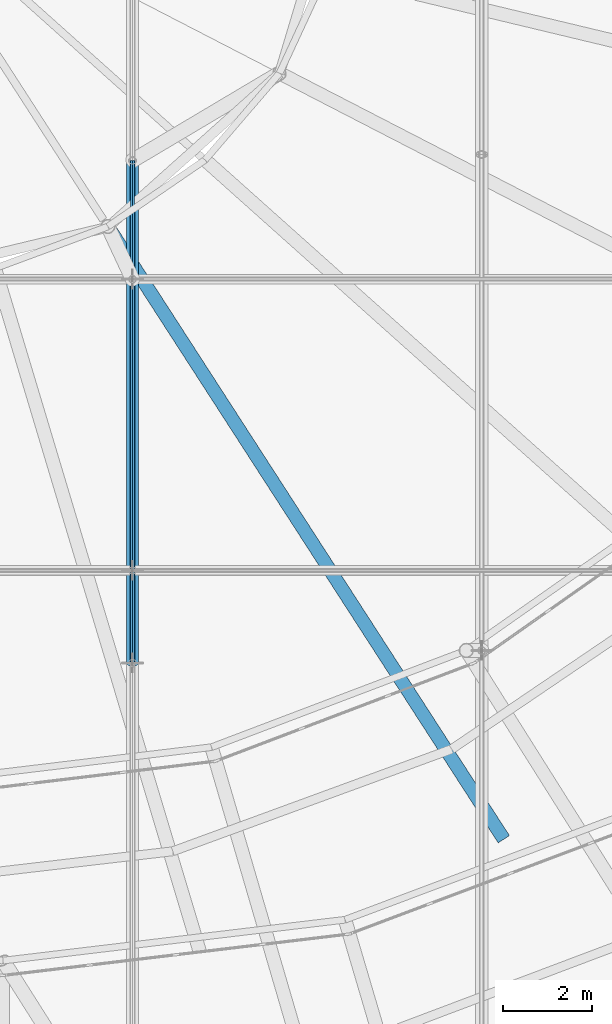
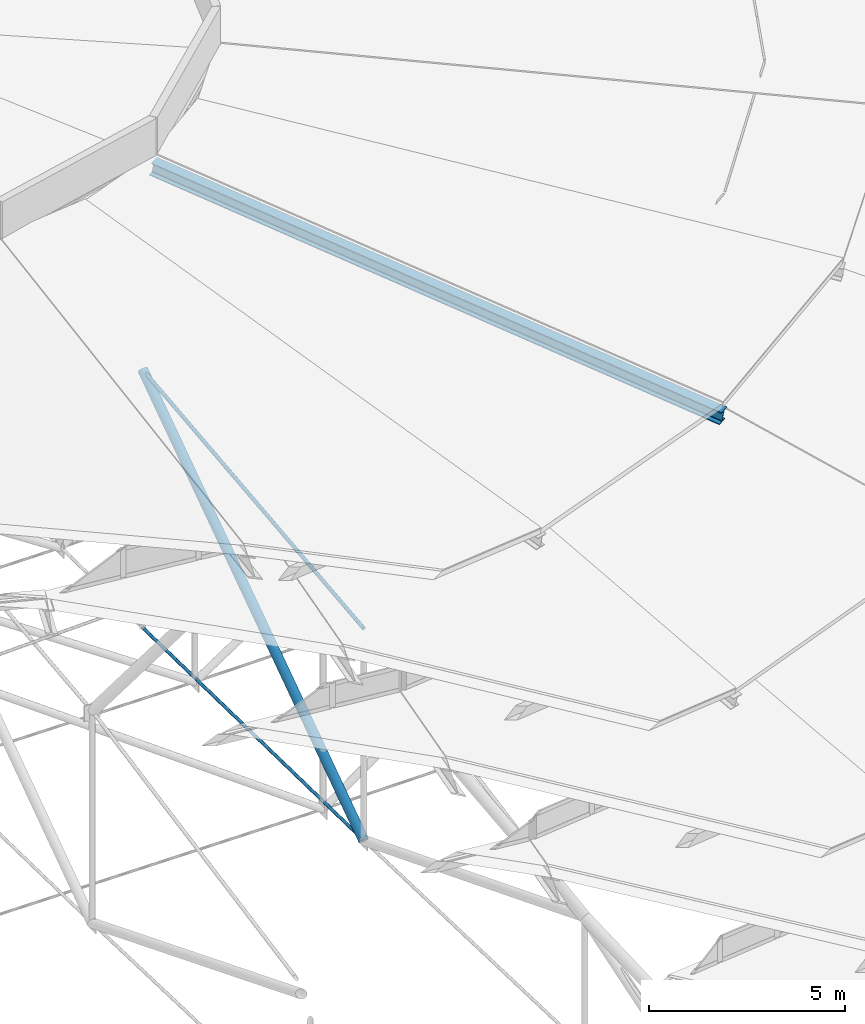
# One storey, part 27 of 173: 4 members.
"""IFC4 building model written with IfcOpenShell, lengths in metres."""

from ifc_helpers import new_model, si_unit, direction, frame, origin, origin_2d, place, context, subcontext, project, spatial, circle, hollow_circle, i_section, extrude, material, material_profile, profile_set, type_object, element, save


model = new_model("IFC4")

# Units and contexts
model_context = context("Model", 3, precision=1e-05, world=origin(), true_north=direction((0.0, 1.0)))
body_context = subcontext(model_context, "Body", "Model", "MODEL_VIEW")
ifc_project = project(units=[si_unit("LENGTHUNIT", "METRE"), si_unit("AREAUNIT", "SQUARE_METRE"), si_unit("VOLUMEUNIT", "CUBIC_METRE"), si_unit("PLANEANGLEUNIT", "RADIAN"), si_unit("MASSUNIT", "GRAM", prefix="KILO")], contexts=[model_context])

# Site, building, storey
site_placement = place(None, origin())
site = spatial("IfcSite", under=ifc_project, at=site_placement, CompositionType="ELEMENT")
building_placement = place(site_placement, origin())
building = spatial("IfcBuilding", under=site, at=building_placement, Name="Glasvene Arena", CompositionType="ELEMENT")
storey_placement = place(building_placement, frame((0.0, 0.0, 28.800048828125)))
storey = spatial("IfcBuildingStorey", under=building, at=storey_placement, Name="RF", CompositionType="ELEMENT", Elevation=28.800048828125)

# Members
ifc_material_1 = material(Name="High-strength steel spiral strand S460", Category="steel")
ifc_material_profile_1 = material_profile(ifc_material_1, circle(Radius=0.052490234375, at=origin_2d()), Name="LCSS D105")
ifc_profile_set_1 = profile_set([ifc_material_profile_1], Name="High-strength steel spiral strand S460")
member_type_1 = type_object("IfcMemberType", Name="MB-CABLE-105", PredefinedType="USERDEFINED", material=ifc_profile_set_1)
member_1_placement = place(storey_placement, frame((92.0, 50.5, 4.472900390625), z_axis=(0.0, 0.994194640934, 0.107596542412), x_axis=(-1.0, 0.0, 0.0)))
element("IfcMember", 1, at=member_1_placement, inside=storey, type_object=member_type_1, Name="Upper lens roof cable NS05-03", ObjectType="ROOF CABLE", PredefinedType="USERDEFINED", context=body_context, shape_type="SweptSolid", body=[
    extrude(circle(Radius=0.052490234375, at=origin_2d()), origin(), (0.0, 0.0, 1.0), 11.315673828125),
])
ifc_material_profile_2 = material_profile(ifc_material_1, circle(Radius=0.044921875, at=origin_2d()), Name="LCSS D90")
ifc_profile_set_2 = profile_set([ifc_material_profile_2], Name="High-strength steel spiral strand S460")
member_type_2 = type_object("IfcMemberType", Name="MB-CABLE-90", PredefinedType="USERDEFINED", material=ifc_profile_set_2)
member_2_placement = place(storey_placement, frame((92.0, 50.5, -2.112548828125), z_axis=(0.0, 0.99981645317, -0.019158809205), x_axis=(-1.0, 0.0, 0.0)))
element("IfcMember", 2, at=member_2_placement, inside=storey, type_object=member_type_2, Name="Lower stabilization roof cable NS05-03", ObjectType="ROOF CABLE", PredefinedType="USERDEFINED", context=body_context, shape_type="SweptSolid", body=[
    extrude(circle(Radius=0.044921875, at=origin_2d()), origin(), (0.0, 0.0, 1.0), 11.251953125),
])
ifc_material_2 = material(Name="Steel S355J2", Category="steel")
ifc_material_profile_3 = material_profile(ifc_material_2, i_section(OverallWidth=0.300048828125, OverallDepth=0.39990234375, WebThickness=0.013427734375, FlangeThickness=0.02392578125, FilletRadius=0.027099609375, at=origin_2d()), Name="HEB 400")
ifc_profile_set_3 = profile_set([ifc_material_profile_3], Name="Steel S355J2")
member_type_3 = type_object("IfcMemberType", Name="MB-CHORD-HEB400", PredefinedType="CHORD", material=ifc_profile_set_3)
member_3_placement = place(storey_placement, frame((100.300048828125, 46.576171875, 10.550048828125), z_axis=(-0.53616194146, 0.829860359986, 0.154473801837), x_axis=(-0.839942283908, -0.542675740846, 0.0)))
element("IfcMember", 3, at=member_3_placement, inside=storey, type_object=member_type_3, Name="Petal ring 5 radial rib 21", PredefinedType="CHORD", context=body_context, shape_type="SweptSolid", body=[
    extrude(i_section(OverallWidth=0.300048828125, OverallDepth=0.39990234375, WebThickness=0.013427734375, FlangeThickness=0.02392578125, FilletRadius=0.027099609375, at=origin_2d()), origin(), (0.0, 0.0, 1.0), 16.50634765625),
])
ifc_material_profile_4 = material_profile(ifc_material_2, hollow_circle(Radius=0.136474609375, WallThickness=0.012451171875, at=origin_2d()), Name="CHS 273.0x12.5")
ifc_profile_set_4 = profile_set([ifc_material_profile_4], Name="Steel S355J2")
member_type_4 = type_object("IfcMemberType", Name="MB-WEB-CHS273", PredefinedType="BRACE", material=ifc_profile_set_4)
member_4_placement = place(storey_placement, frame((92.0, 50.5, -2.112548828125), z_axis=(0.0, 0.821695652069, 0.569926535065), x_axis=(-1.0, 0.0, 0.0)))
element("IfcMember", 4, at=member_4_placement, inside=storey, type_object=member_type_4, Name="Cable-truss diagonal web strut NS05-03", PredefinedType="BRACE", context=body_context, shape_type="SweptSolid", body=[
    extrude(hollow_circle(Radius=0.136474609375, WallThickness=0.012451171875, at=origin_2d()), origin(), (0.0, 0.0, 1.0), 13.691162109375),
])

save(model, "model.ifc")
